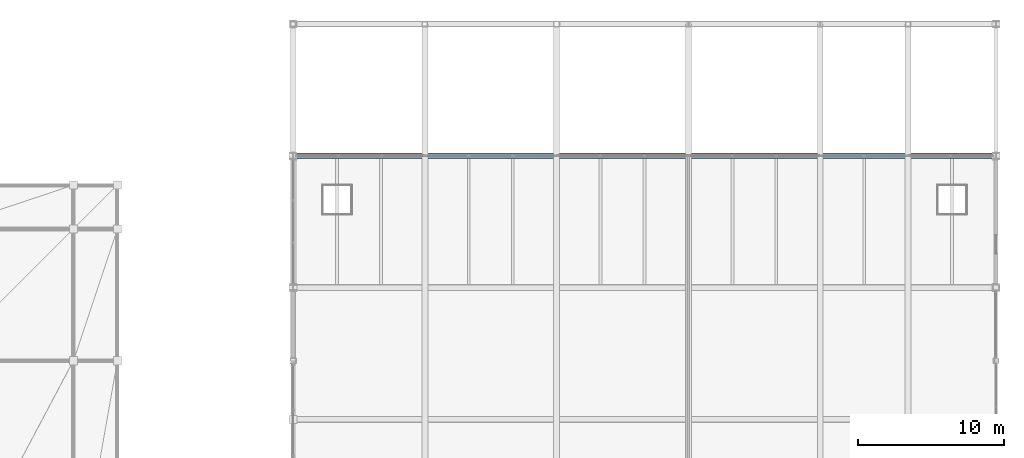
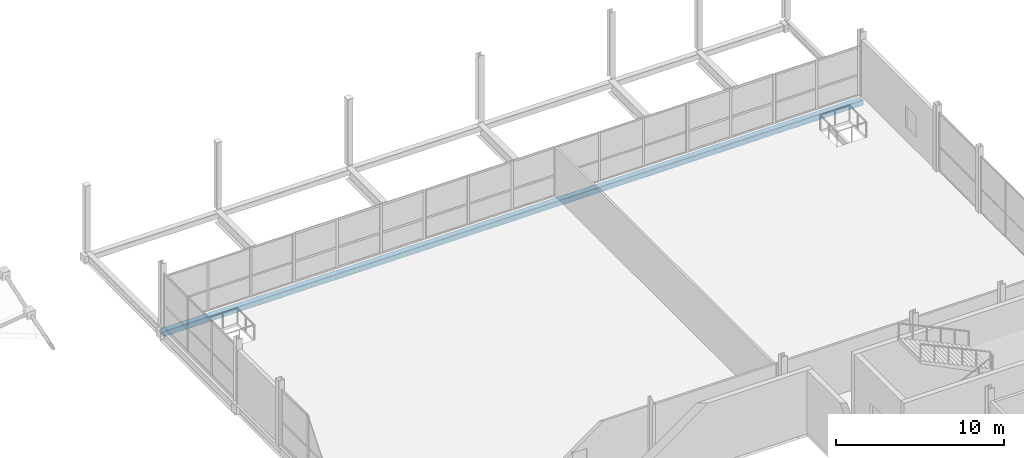
# One storey, part 33 of 69: 1 beam.
"""IFC4 building model written with IfcOpenShell, lengths in metres."""

from ifc_helpers import new_model, si_unit, direction, frame, origin, origin_2d, place, context, subcontext, project, spatial, hollow_rectangle, extrude, material, material_profile, profile_set, type_object, element, save


model = new_model("IFC4")

# Units and contexts
model_context = context("Model", 3, precision=1e-05, world=origin(), true_north=direction((0.0, 1.0)))
body_context = subcontext(model_context, "Body", "Model", "MODEL_VIEW")
ifc_project = project(units=[si_unit("LENGTHUNIT", "METRE"), si_unit("AREAUNIT", "SQUARE_METRE"), si_unit("VOLUMEUNIT", "CUBIC_METRE"), si_unit("PLANEANGLEUNIT", "RADIAN"), si_unit("MASSUNIT", "GRAM", prefix="KILO")], contexts=[model_context])

# Site, building, storey
site_placement = place(None, origin())
site = spatial("IfcSite", under=ifc_project, at=site_placement, CompositionType="ELEMENT")
building_placement = place(site_placement, origin())
building = spatial("IfcBuilding", under=site, at=building_placement, Name="Qamarlyn Nura Convention Centre", CompositionType="ELEMENT")
storey_placement = place(building_placement, frame((0.0, 0.0, 15.60009765625)))
storey = spatial("IfcBuildingStorey", under=building, at=storey_placement, Name="L03", CompositionType="ELEMENT", Elevation=15.60009765625)

# Beam
ifc_material = material(Name="Steel ASTM A500 Grade C", Category="steel")
ifc_material_profile = material_profile(ifc_material, hollow_rectangle(XDim=0.39990234375, YDim=0.39990234375, WallThickness=0.01611328125, InnerFilletRadius=0.01611328125, OuterFilletRadius=0.031982421875, at=origin_2d()), Name="HSS400X400X16")
ifc_profile_set = profile_set([ifc_material_profile], Name="Steel ASTM A500 Grade C")
beam_type = type_object("IfcBeamType", Name="BM-PLEN-TC", PredefinedType="BEAM", material=ifc_profile_set)
beam_placement = place(storey_placement, frame((144.0, 117.0, -0.5), z_axis=(1.0, 0.0, 0.0), x_axis=(0.0, 1.0, 0.0)))
element("IfcBeam", 1, at=beam_placement, inside=storey, type_object=beam_type, Name="ROOF TRUSS Plenary chord Y117", PredefinedType="BEAM", context=body_context, shape_type="SweptSolid", body=[
    extrude(hollow_rectangle(XDim=0.39990234375, YDim=0.39990234375, WallThickness=0.01611328125, InnerFilletRadius=0.01611328125, OuterFilletRadius=0.031982421875, at=origin_2d()), origin(), (0.0, 0.0, 1.0), 48.0),
])

save(model, "model.ifc")
